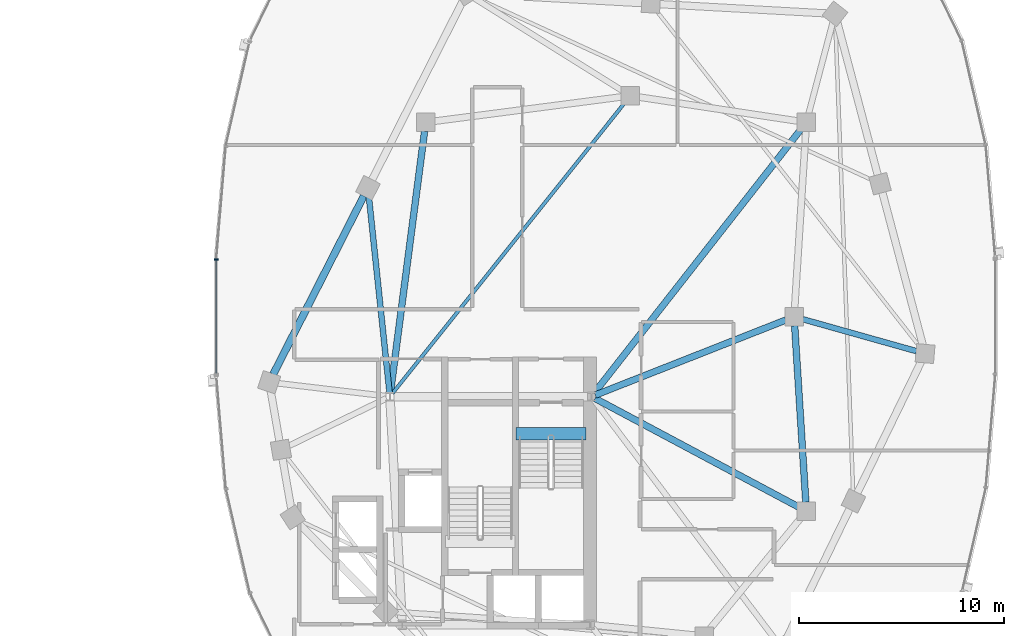
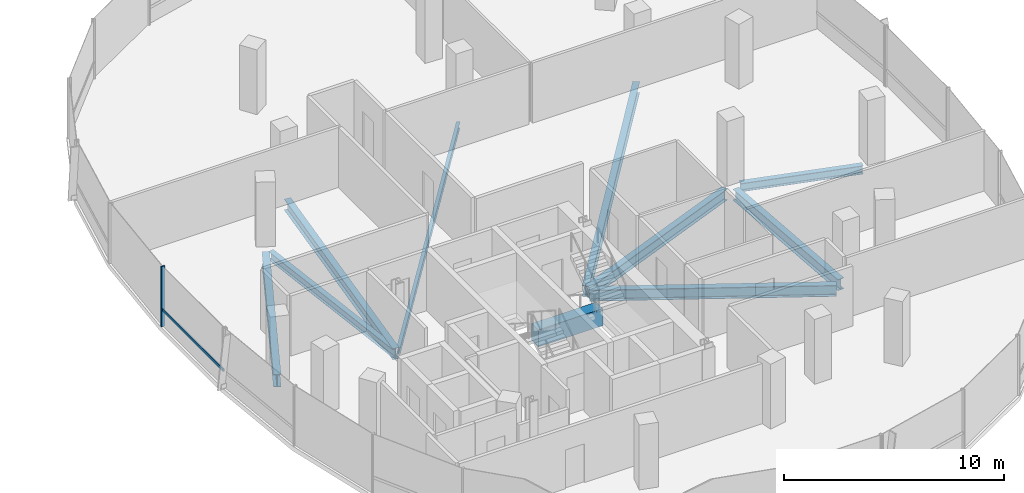
# One storey, part 9 of 25: 10 beams, 2 members, 1 element without a shape of its own.
"""IFC4 building model written with IfcOpenShell, lengths in metres."""

import ifcopenshell
import ifcopenshell.guid

model = None  # the IFC model being written
_history = None  # IfcOwnerHistory: only IFC2X3 demands one
_inside = {}  # id of a spatial element -> (the spatial element, [elements in it])
_under = {}  # id of a project, library or spatial element -> (it, [spatial elements below it])
_declared = {}  # id of a project -> (the project, [libraries it declares])
_typed = {}  # id of a type object -> (the type object, [elements of that type])
_made_of = {}  # id of a material, layer set ... -> (it, [elements and type objects made of it])


def new_model(schema):
    """Start an empty IFC model of exactly this schema.

    Asked for "IFC4X3", IfcOpenShell would pick the latest addendum, in which some entities
    have other attributes; the version numbers below select the first issue.
    IFC2X3 requires an IfcOwnerHistory on every rooted entity: one is made here for all.
    """
    global model, _history
    if schema == "IFC4X3":
        model = ifcopenshell.file(schema_version=(4, 3, 0, 0))
    else:
        model = ifcopenshell.file(schema=schema)
    _inside.clear()
    _under.clear()
    _declared.clear()
    _typed.clear()
    _made_of.clear()
    _history = None
    if model.schema == "IFC2X3":
        org = make("IfcOrganization", Name="unknown")
        user = make(
            "IfcPersonAndOrganization",
            ThePerson=make("IfcPerson", FamilyName="unknown"),
            TheOrganization=org,
        )
        app = make(
            "IfcApplication",
            ApplicationDeveloper=org,
            Version="unknown",
            ApplicationFullName="unknown",
            ApplicationIdentifier="unknown",
        )
        _history = make(
            "IfcOwnerHistory",
            OwningUser=user,
            OwningApplication=app,
            ChangeAction="ADDED",
            CreationDate=0,
        )
    return model


def make(cls, **values):
    """One entity of the class cls with the attributes given. An attribute that is None is left unset."""
    return model.create_entity(
        cls, **{name: value for name, value in values.items() if value is not None}
    )


def rooted(cls, **values):
    """An entity with a GlobalId (a new one), such as an element, a storey or a relation."""
    return make(cls, GlobalId=ifcopenshell.guid.new(), OwnerHistory=_history, **values)


def si_unit(unit_type, name, prefix=None):
    """IfcSIUnit, for example si_unit("LENGTHUNIT", "METRE", prefix="MILLI")."""
    return make("IfcSIUnit", UnitType=unit_type, Prefix=prefix, Name=name)


def assignment(units):
    """IfcUnitAssignment: the units of a project."""
    return None if units is None else make("IfcUnitAssignment", Units=units)


def point(xyz):
    """IfcCartesianPoint."""
    return None if xyz is None else make("IfcCartesianPoint", Coordinates=xyz)


def direction(xyz):
    """IfcDirection."""
    return None if xyz is None else make("IfcDirection", DirectionRatios=xyz)


def frame(location, z_axis=None, x_axis=None):
    """IfcAxis2Placement3D, a coordinate frame: its origin and axes. An axis left out is left unset."""
    return make(
        "IfcAxis2Placement3D",
        Location=point(location),
        Axis=direction(z_axis),
        RefDirection=direction(x_axis),
    )


def frame_2d(location, x_axis=None):
    """IfcAxis2Placement2D, a coordinate frame in the plane: its origin and x axis."""
    return make(
        "IfcAxis2Placement2D", Location=point(location), RefDirection=direction(x_axis)
    )


def origin():
    """The frame at (0, 0, 0) with its axes left unset."""
    return frame((0.0, 0.0, 0.0))


def origin_2d():
    """The frame at (0, 0) in the plane with its x axis left unset."""
    return frame_2d((0.0, 0.0))


def place(relative_to, where):
    """IfcLocalPlacement: puts the frame where relative to a parent placement (None: the world)."""
    return make(
        "IfcLocalPlacement", PlacementRelTo=relative_to, RelativePlacement=where
    )


def context(
    kind, dimensions, precision=None, world=None, true_north=None, identifier=None
):
    """IfcGeometricRepresentationContext, for example the 3D "Model" context."""
    return make(
        "IfcGeometricRepresentationContext",
        ContextIdentifier=identifier,
        ContextType=kind,
        CoordinateSpaceDimension=dimensions,
        Precision=precision,
        WorldCoordinateSystem=world,
        TrueNorth=true_north,
    )


def subcontext(parent, identifier, kind, view, scale=None):
    """IfcGeometricRepresentationSubContext, for example "Body" below "Model"."""
    return make(
        "IfcGeometricRepresentationSubContext",
        ContextIdentifier=identifier,
        ContextType=kind,
        ParentContext=parent,
        TargetScale=scale,
        TargetView=view,
    )


def project(units=None, contexts=None):
    """IfcProject with its units and contexts."""
    return rooted(
        "IfcProject",
        Name="project",
        RepresentationContexts=contexts,
        UnitsInContext=assignment(units),
    )


def spatial(cls, under=None, at=None, **own):
    """A site, building, storey or space (cls), placed at a placement, below another one or the project."""
    s = rooted(cls, ObjectPlacement=at, **own)
    if under is not None:
        _under.setdefault(under.id(), (under, []))[1].append(s)
    return s


def profile(cls, at=None, kind="AREA", **sizes):
    """A parametric profile (cls). Its sizes go by their IFC names, for example OverallWidth=200.0."""
    return make(cls, ProfileType=kind, Position=at, **sizes)


def rectangle(**sizes):
    """IfcRectangleProfileDef."""
    return profile("IfcRectangleProfileDef", **sizes)


def i_section(**sizes):
    """IfcIShapeProfileDef."""
    return profile("IfcIShapeProfileDef", **sizes)


def extrude(swept, where, along, depth):
    """IfcExtrudedAreaSolid: the profile swept, set in the frame where, extruded along a direction by depth."""
    return make(
        "IfcExtrudedAreaSolid",
        SweptArea=swept,
        Position=where,
        ExtrudedDirection=direction(along),
        Depth=depth,
    )


def shape(context_of_items, identifier, shape_type, items):
    """IfcShapeRepresentation: the items that make up one representation, for example the "Body"."""
    return make(
        "IfcShapeRepresentation",
        ContextOfItems=context_of_items,
        RepresentationIdentifier=identifier,
        RepresentationType=shape_type,
        Items=items,
    )


def material(Name=None, Category=None):
    """IfcMaterial."""
    return make("IfcMaterial", Name=Name, Category=Category)


def material_profile(
    of_material, cross_section, Name=None, Category=None, Priority=None
):
    """IfcMaterialProfile: a cross section and its material."""
    return make(
        "IfcMaterialProfile",
        Name=Name,
        Material=of_material,
        Profile=cross_section,
        Priority=Priority,
        Category=Category,
    )


def profile_set(profiles, Name=None, composite=None):
    """IfcMaterialProfileSet."""
    return make(
        "IfcMaterialProfileSet",
        Name=Name,
        MaterialProfiles=profiles,
        CompositeProfile=composite,
    )


def made_of(thing, what):
    """Note that an element or type object is made of a material, layer set ...; save() writes the relation."""
    if what is not None:
        _made_of.setdefault(what.id(), (what, []))[1].append(thing)
    return thing


def type_object(cls, material=None, **own):
    """A type object (cls), such as IfcWallType, which elements share."""
    return made_of(rooted(cls, **own), material)


def element(
    cls,
    number,
    at=None,
    inside=None,
    cuts=None,
    type_object=None,
    material=None,
    context=None,
    identifier="Body",
    shape_type=None,
    held_by="IfcProductDefinitionShape",
    body=None,
    shapes=None,
    **own,
):
    """One element of the class cls, such as IfcWall. Its Tag is "e" and its number.

    at: its placement. inside: the storey or other place that contains it. cuts: it is an
    opening in that element (IfcRelVoidsElement). A single representation is given by context,
    identifier, shape_type and body (its items); several are given by shapes. held_by: the class
    of the entity that holds the representations. save() writes the other relations.
    """
    e = rooted(cls, Tag="e%d" % number, ObjectPlacement=at, **own)
    if body is not None:
        shapes = [shape(context, identifier, shape_type, body)]
    if shapes is not None:
        e.Representation = make(held_by, Representations=shapes)
    if inside is not None:
        _inside.setdefault(inside.id(), (inside, []))[1].append(e)
    if cuts is not None:
        rooted(
            "IfcRelVoidsElement", RelatingBuildingElement=cuts, RelatedOpeningElement=e
        )
    if type_object is not None:
        _typed.setdefault(type_object.id(), (type_object, []))[1].append(e)
    return made_of(e, material)


def aggregate(whole, parts):
    """IfcRelAggregates: a whole, such as a stair, and the parts it consists of."""
    return rooted("IfcRelAggregates", RelatingObject=whole, RelatedObjects=parts)


def save(model, path):
    """Write the relations noted so far, then the file.

    IfcRelAggregates (storeys below a building ...), IfcRelContainedInSpatialStructure (elements
    in a storey), IfcRelDefinesByType, IfcRelAssociatesMaterial and IfcRelDeclares: one each for
    every whole, place, type object, material and project.
    """
    for whole, parts in _under.values():
        aggregate(whole, parts)
    for where, things in _inside.values():
        rooted(
            "IfcRelContainedInSpatialStructure",
            RelatedElements=things,
            RelatingStructure=where,
        )
    for kind, things in _typed.values():
        rooted("IfcRelDefinesByType", RelatedObjects=things, RelatingType=kind)
    for what, things in _made_of.values():
        rooted("IfcRelAssociatesMaterial", RelatedObjects=things, RelatingMaterial=what)
    for by, libraries in _declared.values():
        rooted("IfcRelDeclares", RelatingContext=by, RelatedDefinitions=libraries)
    model.write(path)


model = new_model("IFC4")

# Units and contexts
model_context = context("Model", 3, precision=1e-05, world=origin(), true_north=direction((0.0, 1.0)))
body_context = subcontext(model_context, "Body", "Model", "MODEL_VIEW")
ifc_project = project(units=[si_unit("LENGTHUNIT", "METRE"), si_unit("AREAUNIT", "SQUARE_METRE"), si_unit("VOLUMEUNIT", "CUBIC_METRE"), si_unit("PLANEANGLEUNIT", "RADIAN"), si_unit("MASSUNIT", "GRAM", prefix="KILO"), si_unit("THERMODYNAMICTEMPERATUREUNIT", "KELVIN"), si_unit("POWERUNIT", "WATT")], contexts=[model_context])

# Site, building, storey
site_placement = place(None, origin())
site = spatial("IfcSite", under=ifc_project, at=site_placement, CompositionType="ELEMENT")
building_placement = place(site_placement, origin())
building = spatial("IfcBuilding", under=site, at=building_placement, Name="Cundina Bronze Exchange", CompositionType="ELEMENT")
storey_placement = place(building_placement, frame((0.0, 0.0, 202.60009765625)))
storey = spatial("IfcBuildingStorey", under=building, at=storey_placement, Name="L53", CompositionType="ELEMENT", Elevation=202.60009765625)

# Beams
ifc_material_1 = material(Name="Concrete C60/75", Category="concrete")
ifc_material_profile_1 = material_profile(ifc_material_1, rectangle(XDim=0.60009765625, YDim=0.949951171875, at=origin_2d()), Name="RC600X950", Category="concrete")
ifc_profile_set_1 = profile_set([ifc_material_profile_1], Name="Concrete C60/75")
beam_type_1 = type_object("IfcBeamType", Name="BM-COUP-RC950", PredefinedType="LINTEL", material=ifc_profile_set_1)
beam_1_placement = place(storey_placement, frame((27.6201171875, -5.719970703125, -0.47509765625), z_axis=(1.0, 0.0, 0.0), x_axis=(0.0, 1.0, 0.0)))
element("IfcBeam", 1, at=beam_1_placement, inside=storey, type_object=beam_type_1, Name="L53 Stair E1 Landing Header Beam", PredefinedType="LINTEL", context=body_context, shape_type="SweptSolid", body=[
    extrude(rectangle(XDim=0.60009765625, YDim=0.949951171875, at=origin_2d()), origin(), (0.0, 0.0, 1.0), 3.39990234375),
])
ifc_material_2 = material(Name="Steel ASTM A992 Grade 50", Category="steel")
ifc_material_profile_2 = material_profile(ifc_material_2, i_section(OverallWidth=0.280029296875, OverallDepth=0.462890625, WebThickness=0.0107421875, FlangeThickness=0.017333984375, FilletRadius=0.011962890625, at=origin_2d()), Name="W18X76", Category="steel")
ifc_profile_set_2 = profile_set([ifc_material_profile_2], Name="Steel ASTM A992 Grade 50")
beam_type_2 = type_object("IfcBeamType", Name="BM-FLR-W18A", PredefinedType="BEAM", material=ifc_profile_set_2)
beam_2_placement = place(storey_placement, frame((41.62158203125, -0.11865234375, -0.49169921875), z_axis=(0.96265679604, -0.270724755127, 0.0), x_axis=(0.270724755127, 0.96265679604, 0.0)))
element("IfcBeam", 2, at=beam_2_placement, inside=storey, type_object=beam_type_2, Name="L53 Leg E Chordal Floor Beam 08", PredefinedType="BEAM", context=body_context, shape_type="SweptSolid", body=[
    extrude(i_section(OverallWidth=0.280029296875, OverallDepth=0.462890625, WebThickness=0.0107421875, FlangeThickness=0.017333984375, FilletRadius=0.011962890625, at=origin_2d()), origin(), (0.0, 0.0, 1.0), 5.7724609375),
])
beam_3_placement = place(storey_placement, frame((21.429443359375, -3.705078125, -0.49169921875), z_axis=(-0.104810251666, 0.994492237851, 0.0), x_axis=(-0.994492237851, -0.104810251666, 0.0)))
element("IfcBeam", 3, at=beam_3_placement, inside=storey, type_object=beam_type_2, Name="L53 Leg E Chordal Floor Beam 13", PredefinedType="BEAM", context=body_context, shape_type="SweptSolid", body=[
    extrude(i_section(OverallWidth=0.280029296875, OverallDepth=0.462890625, WebThickness=0.0107421875, FlangeThickness=0.017333984375, FilletRadius=0.011962890625, at=origin_2d()), origin(), (0.0, 0.0, 1.0), 9.62255859375),
])
ifc_material_profile_3 = material_profile(ifc_material_2, i_section(OverallWidth=0.172119140625, OverallDepth=0.35791015625, WebThickness=0.0078125, FlangeThickness=0.01318359375, FilletRadius=0.010009765625, at=origin_2d()), Name="W14X38", Category="steel")
ifc_profile_set_3 = profile_set([ifc_material_profile_3], Name="Steel ASTM A992 Grade 50")
beam_type_3 = type_object("IfcBeamType", Name="BM-JST-W14", PredefinedType="JOIST", material=ifc_profile_set_3)
beam_4_placement = place(storey_placement, frame((21.572509765625, -3.746826171875, -0.439208984375), z_axis=(0.624364266872, 0.781133319129, 0.0), x_axis=(-0.781133319129, 0.624364266872, 0.0)))
element("IfcBeam", 4, at=beam_4_placement, inside=storey, type_object=beam_type_3, Name="L53 E Interior Core-to-Ring Joist 2", PredefinedType="JOIST", context=body_context, shape_type="SweptSolid", body=[
    extrude(i_section(OverallWidth=0.172119140625, OverallDepth=0.35791015625, WebThickness=0.0078125, FlangeThickness=0.01318359375, FilletRadius=0.010009765625, at=origin_2d()), origin(), (0.0, 0.0, 1.0), 18.184814453125),
])
ifc_material_profile_4 = material_profile(ifc_material_2, i_section(OverallWidth=0.324951171875, OverallDepth=0.615966796875, WebThickness=0.013916015625, FlangeThickness=0.021484375, FilletRadius=0.01611328125, at=origin_2d()), Name="W24X117", Category="steel")
ifc_profile_set_4 = profile_set([ifc_material_profile_4], Name="Steel ASTM A992 Grade 50")
beam_type_4 = type_object("IfcBeamType", Name="BM-RING-W24", PredefinedType="USERDEFINED", material=ifc_profile_set_4)
beam_5_placement = place(storey_placement, frame((41.7724609375, -9.06298828125, -0.568115234375), z_axis=(-0.063046519736, 0.998010589297, 0.0), x_axis=(-0.998010589297, -0.063046519736, 0.0)))
element("IfcBeam", 5, at=beam_5_placement, inside=storey, type_object=beam_type_4, Name="L53 E Inner Structural Ring Girder 03", ObjectType="GIRDER", PredefinedType="USERDEFINED", context=body_context, shape_type="SweptSolid", body=[
    extrude(i_section(OverallWidth=0.324951171875, OverallDepth=0.615966796875, WebThickness=0.013916015625, FlangeThickness=0.021484375, FilletRadius=0.01611328125, at=origin_2d()), origin(), (0.0, 0.0, 1.0), 8.64306640625),
])
beam_6_placement = place(storey_placement, frame((23.143310546875, 9.065673828125, -0.568115234375), z_axis=(-0.129501251979, -0.991579258424, 0.0), x_axis=(0.991579258424, -0.129501251979, 0.0)))
element("IfcBeam", 6, at=beam_6_placement, inside=storey, type_object=beam_type_4, Name="L53 E Inner Structural Ring Girder 07", ObjectType="GIRDER", PredefinedType="USERDEFINED", context=body_context, shape_type="SweptSolid", body=[
    extrude(i_section(OverallWidth=0.324951171875, OverallDepth=0.615966796875, WebThickness=0.013916015625, FlangeThickness=0.021484375, FilletRadius=0.01611328125, at=origin_2d()), origin(), (0.0, 0.0, 1.0), 12.8798828125),
])
beam_7_placement = place(storey_placement, frame((31.482421875, -3.828125, -0.568115234375), z_axis=(0.930404106569, 0.366535398673, 0.0), x_axis=(-0.366535398673, 0.930404106569, 0.0)))
element("IfcBeam", 7, at=beam_7_placement, inside=storey, type_object=beam_type_4, Name="L53 E Core-to-Waist Tie Beam 1", ObjectType="GIRDER", PredefinedType="USERDEFINED", context=body_context, shape_type="SweptSolid", body=[
    extrude(i_section(OverallWidth=0.324951171875, OverallDepth=0.615966796875, WebThickness=0.013916015625, FlangeThickness=0.021484375, FilletRadius=0.01611328125, at=origin_2d()), origin(), (0.0, 0.0, 1.0), 10.00634765625),
])
beam_8_placement = place(storey_placement, frame((31.472900390625, -3.9921875, -0.568115234375), z_axis=(0.882350541683, -0.470592734317, 0.0), x_axis=(0.470592734317, 0.882350541683, 0.0)))
element("IfcBeam", 8, at=beam_8_placement, inside=storey, type_object=beam_type_4, Name="L53 E Core-to-Waist Tie Beam 2", ObjectType="GIRDER", PredefinedType="USERDEFINED", context=body_context, shape_type="SweptSolid", body=[
    extrude(i_section(OverallWidth=0.324951171875, OverallDepth=0.615966796875, WebThickness=0.013916015625, FlangeThickness=0.021484375, FilletRadius=0.01611328125, at=origin_2d()), origin(), (0.0, 0.0, 1.0), 11.26611328125),
])
beam_9_placement = place(storey_placement, frame((31.4208984375, -3.74560546875, -0.568115234375), z_axis=(0.616782900053, 0.787133314123, 0.0), x_axis=(-0.787133314123, 0.616782900053, 0.0)))
element("IfcBeam", 9, at=beam_9_placement, inside=storey, type_object=beam_type_4, Name="L53 E Core-to-Waist Tie Beam 3", ObjectType="GIRDER", PredefinedType="USERDEFINED", context=body_context, shape_type="SweptSolid", body=[
    extrude(i_section(OverallWidth=0.324951171875, OverallDepth=0.615966796875, WebThickness=0.013916015625, FlangeThickness=0.021484375, FilletRadius=0.01611328125, at=origin_2d()), origin(), (0.0, 0.0, 1.0), 16.3896484375),
])
ifc_material_profile_5 = material_profile(ifc_material_2, i_section(OverallWidth=0.35498046875, OverallDepth=0.695068359375, WebThickness=0.015380859375, FlangeThickness=0.02490234375, FilletRadius=0.01806640625, at=origin_2d()), Name="W27X146", Category="steel")
ifc_profile_set_5 = profile_set([ifc_material_profile_5], Name="Steel ASTM A992 Grade 50")
beam_type_5 = type_object("IfcBeamType", Name="BM-RING-W27", PredefinedType="USERDEFINED", material=ifc_profile_set_5)
beam_10_placement = place(storey_placement, frame((20.1767578125, 5.909423828125, -0.607666015625), z_axis=(-0.452846871434, -0.891588308039, 0.0), x_axis=(0.891588308039, -0.452846871434, 0.0)))
element("IfcBeam", 10, at=beam_10_placement, inside=storey, type_object=beam_type_5, Name="L53 E Perimeter Ring Girder 13", ObjectType="GIRDER", PredefinedType="USERDEFINED", context=body_context, shape_type="SweptSolid", body=[
    extrude(i_section(OverallWidth=0.35498046875, OverallDepth=0.695068359375, WebThickness=0.015380859375, FlangeThickness=0.02490234375, FilletRadius=0.01806640625, at=origin_2d()), origin(), (0.0, 0.0, 1.0), 9.779052734375),
])

# Curtain wall, members
ifc_material_3 = material(Name="Anodised Bronze Aluminium 6063-T6", Category="aluminium")
curtain_wall_type = type_object("IfcCurtainWallType", Name="CWS-UPP-OFF", PredefinedType="NOTDEFINED", material=ifc_material_3)
curtain_wall_placement = place(storey_placement, origin())
curtain_wall = element("IfcCurtainWall", 11, at=curtain_wall_placement, inside=storey, type_object=curtain_wall_type, Name="L53 CW-05 Curtain Wall Run CWR-L53-E2", PredefinedType="NOTDEFINED")
ifc_material_profile_6 = material_profile(ifc_material_3, rectangle(XDim=0.070068359375, YDim=0.18994140625, at=origin_2d()), Name="AL70X190", Category="aluminium")
ifc_profile_set_6 = profile_set([ifc_material_profile_6], Name="Anodised Bronze Aluminium 6063-T6")
member_type_1 = type_object("IfcMemberType", Name="CWM-MUL-190", PredefinedType="MULLION", material=ifc_profile_set_6)
member_1_placement = place(storey_placement, frame((12.966064453125, 2.794921875, 0.0), z_axis=(0.0, 0.0, 1.0), x_axis=(0.0, -1.0, 0.0)))
member_1 = element("IfcMember", 12, at=member_1_placement, type_object=member_type_1, Name="CW-05 Mullion 7", PredefinedType="MULLION", context=body_context, shape_type="SweptSolid", body=[
    extrude(rectangle(XDim=0.070068359375, YDim=0.18994140625, at=origin_2d()), origin(), (0.0, 0.0, 1.0), 3.33984375),
])
ifc_material_profile_7 = material_profile(ifc_material_3, rectangle(XDim=0.06494140625, YDim=0.14990234375, at=origin_2d()), Name="AL65X150", Category="aluminium")
ifc_profile_set_7 = profile_set([ifc_material_profile_7], Name="Anodised Bronze Aluminium 6063-T6")
member_type_2 = type_object("IfcMemberType", Name="CWM-TRN-150", PredefinedType="USERDEFINED", material=ifc_profile_set_7)
member_2_placement = place(storey_placement, frame((12.966064453125, 2.756591796875, 0.919921875), z_axis=(0.0, -1.0, 0.0), x_axis=(1.0, 0.0, 0.0)))
member_2 = element("IfcMember", 13, at=member_2_placement, type_object=member_type_2, Name="CW-05 Spandrel Transom 7", ObjectType="TRANSOM", PredefinedType="USERDEFINED", context=body_context, shape_type="SweptSolid", body=[
    extrude(rectangle(XDim=0.06494140625, YDim=0.14990234375, at=origin_2d()), origin(), (0.0, 0.0, 1.0), 5.51318359375),
])
aggregate(curtain_wall, [member_1, member_2])

save(model, "model.ifc")
